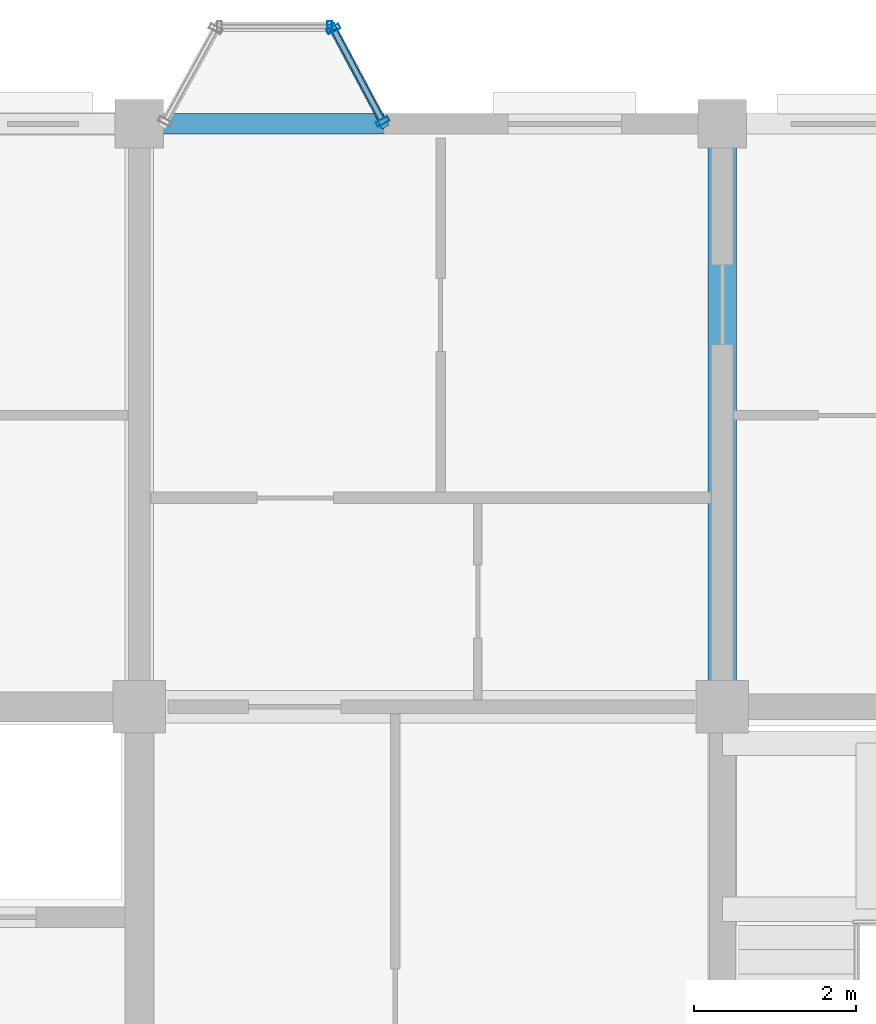
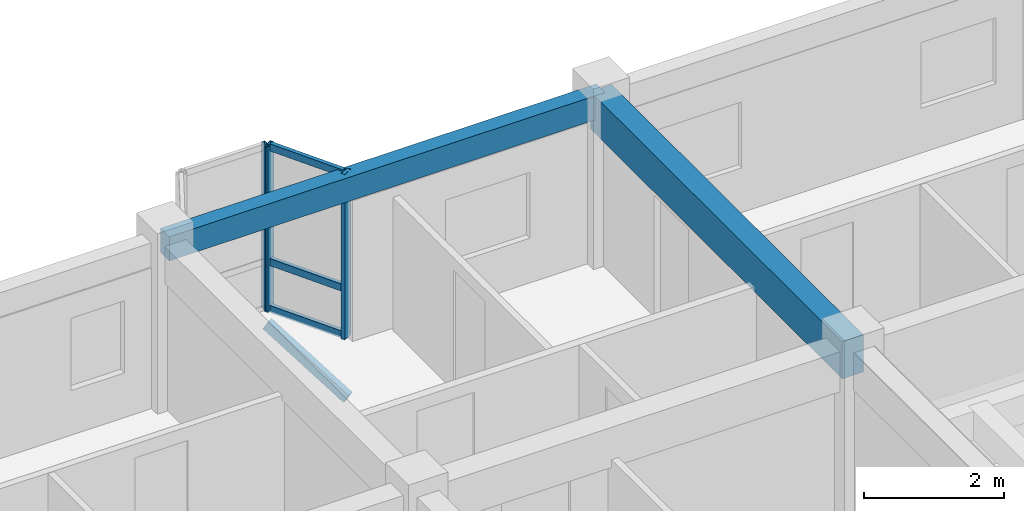
# One storey, part 69 of 124: 7 members, 2 beams, 2 elements without a shape of their own.
"""IFC4 building model written with IfcOpenShell, lengths in metres."""

from ifc_helpers import new_model, si_unit, direction, frame, origin, origin_2d, place, context, subcontext, project, spatial, rectangle, hollow_rectangle, extrude, material, layer, layer_set, material_profile, profile_set, type_object, element, aggregate, save


model = new_model("IFC4")

# Units and contexts
model_context = context("Model", 3, precision=1e-05, world=origin(), true_north=direction((0.0, 1.0)))
body_context = subcontext(model_context, "Body", "Model", "MODEL_VIEW")
ifc_project = project(units=[si_unit("LENGTHUNIT", "METRE"), si_unit("AREAUNIT", "SQUARE_METRE"), si_unit("VOLUMEUNIT", "CUBIC_METRE"), si_unit("PLANEANGLEUNIT", "RADIAN"), si_unit("MASSUNIT", "GRAM", prefix="KILO"), si_unit("THERMODYNAMICTEMPERATUREUNIT", "KELVIN"), si_unit("POWERUNIT", "WATT")], contexts=[model_context])

# Site, building, storey
site_placement = place(None, origin())
site = spatial("IfcSite", under=ifc_project, at=site_placement, CompositionType="ELEMENT")
building_placement = place(site_placement, origin())
building = spatial("IfcBuilding", under=site, at=building_placement, Name="Tavuni Mirador Residences", CompositionType="ELEMENT")
storey_placement = place(building_placement, frame((0.0, 0.0, 7.64990234375)))
storey = spatial("IfcBuildingStorey", under=building, at=storey_placement, Name="L02", CompositionType="ELEMENT", Elevation=7.64990234375)

# Beams
ifc_material_1 = material(Name="Precast concrete C40/50", Category="concrete")
ifc_material_profile_1 = material_profile(ifc_material_1, rectangle(XDim=0.35009765625, YDim=0.64990234375, at=origin_2d()), Name="PC 350x650", Category="concrete")
ifc_profile_set_1 = profile_set([ifc_material_profile_1], Name="Precast concrete C40/50")
beam_type_1 = type_object("IfcBeamType", Name="BT-B650", PredefinedType="BEAM", material=ifc_profile_set_1)
beam_1_placement = place(storey_placement, frame((39.60009765625, 165.60009765625, 2.56005859375), z_axis=(0.0, 1.0, 0.0), x_axis=(-1.0, 0.0, 0.0)))
element("IfcBeam", 1, at=beam_1_placement, inside=storey, type_object=beam_type_1, Name="BMY-BLK-C-L02-04-03", PredefinedType="BEAM", context=body_context, shape_type="SweptSolid", body=[
    extrude(rectangle(XDim=0.35009765625, YDim=0.64990234375, at=origin_2d()), origin(), (0.0, 0.0, 1.0), 7.199951171875),
])
ifc_material_profile_2 = material_profile(ifc_material_1, rectangle(XDim=0.25, YDim=0.419921875, at=origin_2d()), Name="PC 250x420", Category="concrete")
ifc_profile_set_2 = profile_set([ifc_material_profile_2], Name="Precast concrete C40/50")
beam_type_2 = type_object("IfcBeamType", Name="BT-SP420", PredefinedType="SPANDREL", material=ifc_profile_set_2)
beam_2_placement = place(storey_placement, frame((32.39990234375, 172.800048828125, 2.675048828125), z_axis=(1.0, 0.0, 0.0), x_axis=(0.0, 1.0, 0.0)))
element("IfcBeam", 2, at=beam_2_placement, inside=storey, type_object=beam_type_2, Name="BMX-BLK-C-L02-03-04", PredefinedType="SPANDREL", context=body_context, shape_type="SweptSolid", body=[
    extrude(rectangle(XDim=0.25, YDim=0.419921875, at=origin_2d()), origin(), (0.0, 0.0, 1.0), 7.2001953125),
])

# Curtain wall, member
ifc_material_2 = material(Name="Anodised aluminium", Category="aluminium")
ifc_layer_1 = layer(ifc_material_2, 0.175048828125, Name="Anodised aluminium", Category="aluminium")
ifc_layer_set_1 = layer_set([ifc_layer_1], Name="Anodised aluminium")
curtain_wall_type_1 = type_object("IfcCurtainWallType", Name="CWT-MIR-C", PredefinedType="NOTDEFINED", material=ifc_layer_set_1)
curtain_wall_1_placement = place(storey_placement, origin())
curtain_wall_1 = element("IfcCurtainWall", 3, at=curtain_wall_1_placement, inside=storey, type_object=curtain_wall_type_1, Name="CW-MIR-C-N2-L02-MF", PredefinedType="NOTDEFINED")
ifc_material_profile_3 = material_profile(ifc_material_2, hollow_rectangle(XDim=0.06005859375, YDim=0.139892578125, WallThickness=0.00390625, at=origin_2d()), Name="ALU 60x140x4.0", Category="aluminium")
ifc_profile_set_3 = profile_set([ifc_material_profile_3], Name="Anodised aluminium")
member_type_1 = type_object("IfcMemberType", Name="CWM-140", PredefinedType="MULLION", material=ifc_profile_set_3)
member_1_placement = place(storey_placement, frame((34.75, 174.0, 0.0), z_axis=(0.0, 0.0, 1.0), x_axis=(-1.0, 0.0, 0.0)))
member_1 = element("IfcMember", 4, at=member_1_placement, type_object=member_type_1, Name="CW-03 mullion 1", PredefinedType="MULLION", context=body_context, shape_type="SweptSolid", body=[
    extrude(hollow_rectangle(XDim=0.06005859375, YDim=0.139892578125, WallThickness=0.00390625, at=origin_2d()), origin(), (0.0, 0.0, 1.0), 2.885009765625),
])
aggregate(curtain_wall_1, [member_1])

# Curtain wall, members
ifc_layer_2 = layer(ifc_material_2, 0.14990234375, Name="Anodised aluminium", Category="aluminium")
ifc_layer_set_2 = layer_set([ifc_layer_2], Name="Anodised aluminium")
curtain_wall_type_2 = type_object("IfcCurtainWallType", Name="CWT-MIR-B", PredefinedType="NOTDEFINED", material=ifc_layer_set_2)
curtain_wall_2_placement = place(storey_placement, origin())
curtain_wall_2 = element("IfcCurtainWall", 5, at=curtain_wall_2_placement, inside=storey, type_object=curtain_wall_type_2, Name="CW-MIR-C-N2-L02-M1", PredefinedType="NOTDEFINED")
ifc_material_profile_4 = material_profile(ifc_material_2, hollow_rectangle(XDim=0.06494140625, YDim=0.1650390625, WallThickness=0.00439453125, at=origin_2d()), Name="ALU 65x165x4.5", Category="aluminium")
ifc_profile_set_4 = profile_set([ifc_material_profile_4], Name="Anodised aluminium")
member_type_2 = type_object("IfcMemberType", Name="CWM-165", PredefinedType="MULLION", material=ifc_profile_set_4)
member_2_placement = place(storey_placement, frame((35.40478515625, 172.82861328125, 0.0), z_axis=(0.0, 0.0, 1.0), x_axis=(-0.470588235296, 0.882352941175, 0.0)))
member_2 = element("IfcMember", 6, at=member_2_placement, type_object=member_type_2, Name="CW-02 mullion 1", PredefinedType="MULLION", context=body_context, shape_type="SweptSolid", body=[
    extrude(hollow_rectangle(XDim=0.06494140625, YDim=0.1650390625, WallThickness=0.00439453125, at=origin_2d()), origin(), (0.0, 0.0, 1.0), 2.885009765625),
])
member_3_placement = place(storey_placement, frame((34.79541015625, 173.971435546875, 0.0), z_axis=(0.0, 0.0, 1.0), x_axis=(-0.470588235296, 0.882352941175, 0.0)))
member_3 = element("IfcMember", 7, at=member_3_placement, type_object=member_type_2, Name="CW-02 mullion 2", PredefinedType="MULLION", context=body_context, shape_type="SweptSolid", body=[
    extrude(hollow_rectangle(XDim=0.06494140625, YDim=0.1650390625, WallThickness=0.00439453125, at=origin_2d()), origin(), (0.0, 0.0, 1.0), 2.885009765625),
])
ifc_material_profile_5 = material_profile(ifc_material_2, hollow_rectangle(XDim=0.06494140625, YDim=0.125, WallThickness=0.00439453125, at=origin_2d()), Name="ALU 65x125x4.5", Category="aluminium")
ifc_profile_set_5 = profile_set([ifc_material_profile_5], Name="Anodised aluminium")
member_type_3 = type_object("IfcMemberType", Name="CWT-125", PredefinedType="USERDEFINED", material=ifc_profile_set_5)
member_4_placement = place(storey_placement, frame((35.389404296875, 172.857421875, 0.03271484375), z_axis=(-0.470639747922, 0.882325465843, 0.0), x_axis=(-0.882325465843, -0.470639747922, 0.0)))
member_4 = element("IfcMember", 8, at=member_4_placement, type_object=member_type_3, Name="CW-02 transom 1.1", ObjectType="TRANSOM", PredefinedType="USERDEFINED", context=body_context, shape_type="SweptSolid", body=[
    extrude(hollow_rectangle(XDim=0.06494140625, YDim=0.125, WallThickness=0.00439453125, at=origin_2d()), origin(), (0.0, 0.0, 1.0), 1.22998046875),
])
member_5_placement = place(storey_placement, frame((35.389404296875, 172.857421875, 0.85009765625), z_axis=(-0.470639747922, 0.882325465843, 0.0), x_axis=(-0.882325465843, -0.470639747922, 0.0)))
member_5 = element("IfcMember", 9, at=member_5_placement, type_object=member_type_3, Name="CW-02 transom 1.2", ObjectType="TRANSOM", PredefinedType="USERDEFINED", context=body_context, shape_type="SweptSolid", body=[
    extrude(hollow_rectangle(XDim=0.06494140625, YDim=0.125, WallThickness=0.00439453125, at=origin_2d()), origin(), (0.0, 0.0, 1.0), 1.22998046875),
])
member_6_placement = place(storey_placement, frame((35.389404296875, 172.857421875, 2.8525390625), z_axis=(-0.470639747922, 0.882325465843, 0.0), x_axis=(-0.882325465843, -0.470639747922, 0.0)))
member_6 = element("IfcMember", 10, at=member_6_placement, type_object=member_type_3, Name="CW-02 transom 1.3", ObjectType="TRANSOM", PredefinedType="USERDEFINED", context=body_context, shape_type="SweptSolid", body=[
    extrude(hollow_rectangle(XDim=0.06494140625, YDim=0.125, WallThickness=0.00439453125, at=origin_2d()), origin(), (0.0, 0.0, 1.0), 1.22998046875),
])
aggregate(curtain_wall_2, [member_2, member_3, member_4, member_5, member_6])

# Member
ifc_material_3 = material(Name="Structural steel S355", Category="steel")
ifc_material_profile_6 = material_profile(ifc_material_3, hollow_rectangle(XDim=0.10009765625, YDim=0.179931640625, WallThickness=0.008056640625, at=origin_2d()), Name="RHS 180x100x8.0", Category="steel")
ifc_profile_set_6 = profile_set([ifc_material_profile_6], Name="Structural steel S355")
member_type_4 = type_object("IfcMemberType", Name="MT-BR-RHS180", PredefinedType="BRACE", material=ifc_profile_set_6)
member_7_placement = place(storey_placement, frame((35.419921875, 172.800048828125, -1.0498046875), z_axis=(-0.407530885562, 0.764217589674, 0.499890040855), x_axis=(-0.882377788047, -0.47054164445, 0.0)))
element("IfcMember", 11, at=member_7_placement, inside=storey, type_object=member_type_4, Name="MBRK-MIR-C-N2-L02-2", PredefinedType="BRACE", context=body_context, shape_type="SweptSolid", body=[
    extrude(hollow_rectangle(XDim=0.10009765625, YDim=0.179931640625, WallThickness=0.008056640625, at=origin_2d()), origin(), (0.0, 0.0, 1.0), 1.570068359375),
])

save(model, "model.ifc")
